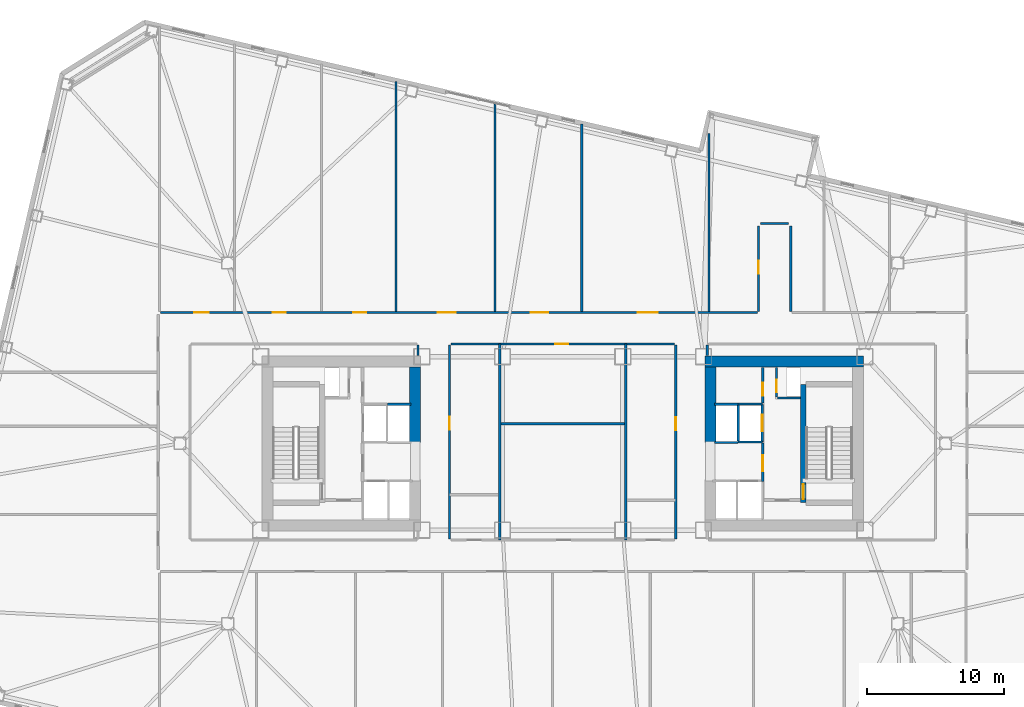
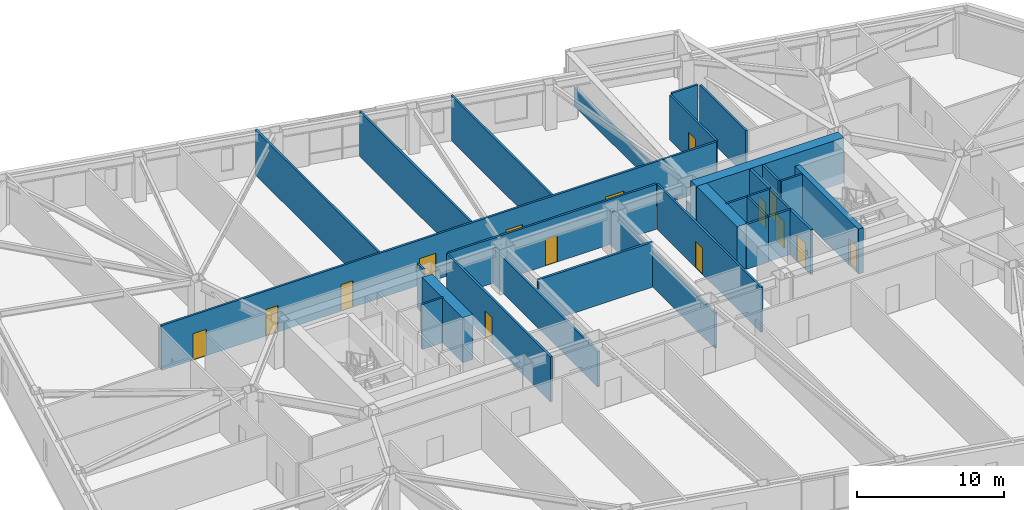
# One storey, part 13 of 20: 31 walls, 15 doors, 15 openings.
"""IFC4 building model written with IfcOpenShell, lengths in metres."""

from ifc_helpers import new_model, si_unit, direction, frame, frame_2d, origin, place, context, subcontext, project, spatial, rectangle, extrude, material, layer, layer_set, type_object, element, fill, save


model = new_model("IFC4")

# Units and contexts
model_context = context("Model", 3, precision=1e-05, world=origin(), true_north=direction((0.0, 1.0)))
body_context = subcontext(model_context, "Body", "Model", "MODEL_VIEW")
ifc_project = project(units=[si_unit("LENGTHUNIT", "METRE"), si_unit("AREAUNIT", "SQUARE_METRE"), si_unit("VOLUMEUNIT", "CUBIC_METRE"), si_unit("PLANEANGLEUNIT", "RADIAN"), si_unit("MASSUNIT", "GRAM", prefix="KILO")], contexts=[model_context])

# Site, building, storey
site_placement = place(None, origin())
site = spatial("IfcSite", under=ifc_project, at=site_placement, CompositionType="ELEMENT")
building_placement = place(site_placement, origin())
building = spatial("IfcBuilding", under=site, at=building_placement, Name="Tavrogorsk Clinical Tower", CompositionType="ELEMENT")
storey_placement = place(building_placement, frame((0.0, 0.0, 67.39990234375)))
storey = spatial("IfcBuildingStorey", under=building, at=storey_placement, Name="L14", CompositionType="ELEMENT", Elevation=67.39990234375)

# Wall, opening, door
ifc_material_1 = material(Name="Concrete B60", Category="concrete")
ifc_layer_1 = layer(ifc_material_1, 0.199951171875)
ifc_layer_set_1 = layer_set([ifc_layer_1], Name="Concrete B60")
wall_type_1 = type_object("IfcWallType", Name="CoreFireWall_200", PredefinedType="SOLIDWALL", material=ifc_layer_set_1)
wall_1_placement = place(storey_placement, frame((14.639892578125, 2.9599609375, 0.0), z_axis=(0.0, 0.0, 1.0), x_axis=(0.0, 1.0, 0.0)))
wall_1 = element("IfcWall", 1, at=wall_1_placement, inside=storey, type_object=wall_type_1, Name="L14 Core East North Core Room East Wall", PredefinedType="SOLIDWALL", context=body_context, shape_type="SweptSolid", body=[
    extrude(rectangle(XDim=2.60009765625, YDim=0.199951171875, at=frame_2d((1.300048828125, 0.0))), origin(), (0.0, 0.0, 1.0), 3.739990234375),
])
opening_1_placement = place(wall_1_placement, frame((0.52001953125, 0.0, 0.0)))
opening_1 = element("IfcOpeningElement", 2, at=opening_1_placement, cuts=wall_1, Name="Opening ID-02", PredefinedType="OPENING", context=body_context, shape_type="SweptSolid", body=[
    extrude(rectangle(XDim=0.949951171875, YDim=2.199951171875, at=frame_2d((0.47509765625, 1.10009765625))), frame((0.0, 0.10986328125, 0.0), z_axis=(0.0, -1.0, 0.0), x_axis=(1.0, 0.0, 0.0)), (0.0, 0.0, 1.0), 0.219970703125),
])
ifc_material_2 = material(Name="Laminated timber leaf on aluminium frame", Category="wood")
door_type_1 = type_object("IfcDoorType", Name="InteriorDoor_ID02_950", OperationType="NOTDEFINED", PredefinedType="DOOR", material=ifc_material_2)
door_1_placement = place(opening_1_placement, origin())
door_1 = element("IfcDoor", 3, at=door_1_placement, inside=storey, type_object=door_type_1, Name="L14 Core East Core Telemetry Room Door", OperationType="SINGLE_SWING_LEFT", OverallHeight=2.199951171875, OverallWidth=0.949951171875, PredefinedType="DOOR", context=body_context, shape_type="SweptSolid", body=[
    extrude(rectangle(XDim=0.949951171875, YDim=2.199951171875, at=frame_2d((0.47509765625, 1.10009765625))), frame((0.0, 0.02490234375, 0.0), z_axis=(0.0, -1.0, 0.0), x_axis=(1.0, 0.0, 0.0)), (0.0, 0.0, 1.0), 0.050048828125),
])
fill(opening_1, door_1)

wall_2_placement = place(storey_placement, frame((14.639892578125, -2.780029296875, 0.0), z_axis=(0.0, 0.0, 1.0), x_axis=(0.0, 1.0, 0.0)))
wall_2 = element("IfcWall", 4, at=wall_2_placement, inside=storey, type_object=wall_type_1, Name="L14 Core East Firefighting Lobby Fire Wall", PredefinedType="SOLIDWALL", context=body_context, shape_type="SweptSolid", body=[
    extrude(rectangle(XDim=2.820068359375, YDim=0.199951171875, at=frame_2d((1.41015625, 0.0))), origin(), (0.0, 0.0, 1.0), 3.739990234375),
])
opening_2_placement = place(wall_2_placement, frame((0.72998046875, 0.0, 0.0)))
opening_2 = element("IfcOpeningElement", 5, at=opening_2_placement, cuts=wall_2, Name="Opening FD-01", PredefinedType="OPENING", context=body_context, shape_type="SweptSolid", body=[
    extrude(rectangle(XDim=1.199951171875, YDim=2.199951171875, at=frame_2d((0.60009765625, 1.10009765625))), frame((0.0, 0.10986328125, 0.0), z_axis=(0.0, -1.0, 0.0), x_axis=(1.0, 0.0, 0.0)), (0.0, 0.0, 1.0), 0.219970703125),
])
ifc_material_3 = material(Name="Galvanised steel fire-rated door assembly", Category="steel")
door_type_2 = type_object("IfcDoorType", Name="FireDoor_FD01_1200", OperationType="NOTDEFINED", PredefinedType="DOOR", material=ifc_material_3)
door_2_placement = place(opening_2_placement, origin())
door_2 = element("IfcDoor", 6, at=door_2_placement, inside=storey, type_object=door_type_2, Name="L14 Core East Firefighting Lobby Entry Door", OperationType="SINGLE_SWING_RIGHT", OverallHeight=2.199951171875, OverallWidth=1.199951171875, PredefinedType="DOOR", context=body_context, shape_type="SweptSolid", body=[
    extrude(rectangle(XDim=1.199951171875, YDim=2.199951171875, at=frame_2d((0.60009765625, 1.10009765625))), frame((0.0, 0.02490234375, 0.0), z_axis=(0.0, -1.0, 0.0), x_axis=(1.0, 0.0, 0.0)), (0.0, 0.0, 1.0), 0.050048828125),
])
fill(opening_2, door_2)

# Wall, openings, doors
ifc_material_4 = material(Name="Lightweight concrete blockwork B15", Category="masonry")
ifc_layer_2 = layer(ifc_material_4, 0.159912109375)
ifc_layer_set_2 = layer_set([ifc_layer_2], Name="Lightweight concrete blockwork B15")
wall_type_2 = type_object("IfcWallType", Name="PartitionWall_160", PredefinedType="PARTITIONING", material=ifc_layer_set_2)
wall_3_placement = place(storey_placement, frame((-29.4150390625, 9.580078125, 0.0), z_axis=(0.0, 0.0, 1.0), x_axis=(1.0, 0.0, 0.0)))
wall_3 = element("IfcWall", 7, at=wall_3_placement, inside=storey, type_object=wall_type_2, Name="L14 Corridor Partition 02", PredefinedType="PARTITIONING", context=body_context, shape_type="SweptSolid", body=[
    extrude(rectangle(XDim=43.650146484375, YDim=0.159912109375, at=frame_2d((21.8251953125, 0.0))), origin(), (0.0, 0.0, 1.0), 3.739990234375),
])
opening_3_placement = place(wall_3_placement, frame((2.468994140625, 0.0, 0.0)))
opening_3 = element("IfcOpeningElement", 8, at=opening_3_placement, cuts=wall_3, Name="Opening ID-04", PredefinedType="OPENING", context=body_context, shape_type="SweptSolid", body=[
    extrude(rectangle(XDim=1.050048828125, YDim=2.199951171875, at=frame_2d((0.52490234375, 1.10009765625))), frame((0.0, 0.08984375, 0.0), z_axis=(0.0, -1.0, 0.0), x_axis=(1.0, 0.0, 0.0)), (0.0, 0.0, 1.0), 0.179931640625),
])
opening_4_placement = place(wall_3_placement, frame((8.199951171875, 0.0, 0.0)))
opening_4 = element("IfcOpeningElement", 9, at=opening_4_placement, cuts=wall_3, Name="Opening ID-02", PredefinedType="OPENING", context=body_context, shape_type="SweptSolid", body=[
    extrude(rectangle(XDim=0.949951171875, YDim=2.199951171875, at=frame_2d((0.47509765625, 1.10009765625))), frame((0.0, 0.08984375, 0.0), z_axis=(0.0, -1.0, 0.0), x_axis=(1.0, 0.0, 0.0)), (0.0, 0.0, 1.0), 0.179931640625),
])
opening_5_placement = place(wall_3_placement, frame((14.10009765625, 0.0, 0.0)))
opening_5 = element("IfcOpeningElement", 10, at=opening_5_placement, cuts=wall_3, Name="Opening ID-02", PredefinedType="OPENING", context=body_context, shape_type="SweptSolid", body=[
    extrude(rectangle(XDim=0.949951171875, YDim=2.199951171875, at=frame_2d((0.47509765625, 1.10009765625))), frame((0.0, 0.08984375, 0.0), z_axis=(0.0, -1.0, 0.0), x_axis=(1.0, 0.0, 0.0)), (0.0, 0.0, 1.0), 0.179931640625),
])
opening_6_placement = place(wall_3_placement, frame((20.27490234375, 0.0, 0.0)))
opening_6 = element("IfcOpeningElement", 11, at=opening_6_placement, cuts=wall_3, Name="Opening ID-01", PredefinedType="OPENING", context=body_context, shape_type="SweptSolid", body=[
    extrude(rectangle(XDim=1.300048828125, YDim=2.199951171875, at=frame_2d((0.64990234375, 1.10009765625))), frame((0.0, 0.08984375, 0.0), z_axis=(0.0, -1.0, 0.0), x_axis=(1.0, 0.0, 0.0)), (0.0, 0.0, 1.0), 0.179931640625),
])
opening_7_placement = place(wall_3_placement, frame((27.074951171875, 0.0, 0.0)))
opening_7 = element("IfcOpeningElement", 12, at=opening_7_placement, cuts=wall_3, Name="Opening ID-01", PredefinedType="OPENING", context=body_context, shape_type="SweptSolid", body=[
    extrude(rectangle(XDim=1.300048828125, YDim=2.199951171875, at=frame_2d((0.64990234375, 1.10009765625))), frame((0.0, 0.08984375, 0.0), z_axis=(0.0, -1.0, 0.0), x_axis=(1.0, 0.0, 0.0)), (0.0, 0.0, 1.0), 0.179931640625),
])
opening_8_placement = place(wall_3_placement, frame((34.906494140625, 0.0, 0.0)))
opening_8 = element("IfcOpeningElement", 13, at=opening_8_placement, cuts=wall_3, Name="Opening ID-05", PredefinedType="OPENING", context=body_context, shape_type="SweptSolid", body=[
    extrude(rectangle(XDim=1.449951171875, YDim=2.199951171875, at=frame_2d((0.72509765625, 1.10009765625))), frame((0.0, 0.08984375, 0.0), z_axis=(0.0, -1.0, 0.0), x_axis=(1.0, 0.0, 0.0)), (0.0, 0.0, 1.0), 0.179931640625),
])
ifc_material_5 = material(Name="Antibacterial HPL consultation door on aluminium frame", Category="aluminium")
door_type_3 = type_object("IfcDoorType", Name="ConsultDoor_ID04_1050", OperationType="NOTDEFINED", PredefinedType="DOOR", material=ifc_material_5)
door_3_placement = place(opening_3_placement, origin())
door_3 = element("IfcDoor", 14, at=door_3_placement, inside=storey, type_object=door_type_3, Name="L14 North Physician Consultation Office 01 Door", OperationType="SINGLE_SWING_LEFT", OverallHeight=2.199951171875, OverallWidth=1.050048828125, PredefinedType="DOOR", context=body_context, shape_type="SweptSolid", body=[
    extrude(rectangle(XDim=1.050048828125, YDim=2.199951171875, at=frame_2d((0.52490234375, 1.10009765625))), frame((0.0, 0.02490234375, 0.0), z_axis=(0.0, -1.0, 0.0), x_axis=(1.0, 0.0, 0.0)), (0.0, 0.0, 1.0), 0.050048828125),
])
fill(opening_3, door_3)
ifc_material_6 = material(Name="Antibacterial HPL bariatric ward double door")
door_type_4 = type_object("IfcDoorType", Name="DoubleWardDoor_ID05_1450", OperationType="DOUBLE_SWING_LEFT", PredefinedType="DOOR", material=ifc_material_6)
door_4_placement = place(opening_8_placement, origin())
door_4 = element("IfcDoor", 15, at=door_4_placement, inside=storey, type_object=door_type_4, Name="L14 North Sub-Acute Recovery Ward 04A Door", OperationType="DOUBLE_SWING_LEFT", OverallHeight=2.199951171875, OverallWidth=1.449951171875, PredefinedType="DOOR", context=body_context, shape_type="SweptSolid", body=[
    extrude(rectangle(XDim=1.449951171875, YDim=2.199951171875, at=frame_2d((0.72509765625, 1.10009765625))), frame((0.0, 0.02490234375, 0.0), z_axis=(0.0, -1.0, 0.0), x_axis=(1.0, 0.0, 0.0)), (0.0, 0.0, 1.0), 0.050048828125),
])
fill(opening_8, door_4)
door_5_placement = place(opening_4_placement, origin())
door_5 = element("IfcDoor", 16, at=door_5_placement, inside=storey, type_object=door_type_1, Name="L14 North Patient & Family Quiet Lounge 02A Door", OperationType="SINGLE_SWING_RIGHT", OverallHeight=2.199951171875, OverallWidth=0.949951171875, PredefinedType="DOOR", context=body_context, shape_type="SweptSolid", body=[
    extrude(rectangle(XDim=0.949951171875, YDim=2.199951171875, at=frame_2d((0.47509765625, 1.10009765625))), frame((0.0, 0.02490234375, 0.0), z_axis=(0.0, -1.0, 0.0), x_axis=(1.0, 0.0, 0.0)), (0.0, 0.0, 1.0), 0.050048828125),
])
fill(opening_4, door_5)
door_6_placement = place(opening_5_placement, origin())
door_6 = element("IfcDoor", 17, at=door_6_placement, inside=storey, type_object=door_type_1, Name="L14 North Physiotherapy Rehab Studio 02B Door", OperationType="SINGLE_SWING_LEFT", OverallHeight=2.199951171875, OverallWidth=0.949951171875, PredefinedType="DOOR", context=body_context, shape_type="SweptSolid", body=[
    extrude(rectangle(XDim=0.949951171875, YDim=2.199951171875, at=frame_2d((0.47509765625, 1.10009765625))), frame((0.0, 0.02490234375, 0.0), z_axis=(0.0, -1.0, 0.0), x_axis=(1.0, 0.0, 0.0)), (0.0, 0.0, 1.0), 0.050048828125),
])
fill(opening_5, door_6)
ifc_material_7 = material(Name="Antibacterial HPL medical leaf on aluminium frame", Category="aluminium")
door_type_5 = type_object("IfcDoorType", Name="WardBedDoor_ID01_1300", OperationType="NOTDEFINED", PredefinedType="DOOR", material=ifc_material_7)
door_7_placement = place(opening_6_placement, origin())
door_7 = element("IfcDoor", 18, at=door_7_placement, inside=storey, type_object=door_type_5, Name="L14 North Acute Isolation Suite 03A Door", OperationType="SINGLE_SWING_RIGHT", OverallHeight=2.199951171875, OverallWidth=1.300048828125, PredefinedType="DOOR", context=body_context, shape_type="SweptSolid", body=[
    extrude(rectangle(XDim=1.300048828125, YDim=2.199951171875, at=frame_2d((0.64990234375, 1.10009765625))), frame((0.0, 0.02490234375, 0.0), z_axis=(0.0, -1.0, 0.0), x_axis=(1.0, 0.0, 0.0)), (0.0, 0.0, 1.0), 0.050048828125),
])
fill(opening_6, door_7)
door_8_placement = place(opening_7_placement, origin())
door_8 = element("IfcDoor", 19, at=door_8_placement, inside=storey, type_object=door_type_5, Name="L14 North Step-Down Telemetry Ward 03B Door", OperationType="SINGLE_SWING_LEFT", OverallHeight=2.199951171875, OverallWidth=1.300048828125, PredefinedType="DOOR", context=body_context, shape_type="SweptSolid", body=[
    extrude(rectangle(XDim=1.300048828125, YDim=2.199951171875, at=frame_2d((0.64990234375, 1.10009765625))), frame((0.0, 0.02490234375, 0.0), z_axis=(0.0, -1.0, 0.0), x_axis=(1.0, 0.0, 0.0)), (0.0, 0.0, 1.0), 0.050048828125),
])
fill(opening_7, door_8)

# Wall, opening, door
wall_4_placement = place(storey_placement, frame((14.320068359375, 9.6650390625, 0.0), z_axis=(0.0, 0.0, 1.0), x_axis=(0.0, 1.0, 0.0)))
wall_4 = element("IfcWall", 20, at=wall_4_placement, inside=storey, type_object=wall_type_2, Name="L14 Corridor Partition 03", PredefinedType="PARTITIONING", context=body_context, shape_type="SweptSolid", body=[
    extrude(rectangle(XDim=6.25, YDim=0.159912109375, at=frame_2d((3.125, 0.0))), origin(), (0.0, 0.0, 1.0), 3.739990234375),
])
opening_9_placement = place(wall_4_placement, frame((2.735107421875, 0.0, 0.0)))
opening_9 = element("IfcOpeningElement", 21, at=opening_9_placement, cuts=wall_4, Name="Opening ID-02", PredefinedType="OPENING", context=body_context, shape_type="SweptSolid", body=[
    extrude(rectangle(XDim=0.949951171875, YDim=2.199951171875, at=frame_2d((0.47509765625, 1.10009765625))), frame((0.0, 0.08984375, 0.0), z_axis=(0.0, -1.0, 0.0), x_axis=(1.0, 0.0, 0.0)), (0.0, 0.0, 1.0), 0.179931640625),
])
door_9_placement = place(opening_9_placement, origin())
door_9 = element("IfcDoor", 22, at=door_9_placement, inside=storey, type_object=door_type_1, Name="L14 North Physician Consultation Office 04B Door", OperationType="SINGLE_SWING_LEFT", OverallHeight=2.199951171875, OverallWidth=0.949951171875, PredefinedType="DOOR", context=body_context, shape_type="SweptSolid", body=[
    extrude(rectangle(XDim=0.949951171875, YDim=2.199951171875, at=frame_2d((0.47509765625, 1.10009765625))), frame((0.0, 0.02490234375, 0.0), z_axis=(0.0, -1.0, 0.0), x_axis=(1.0, 0.0, 0.0)), (0.0, 0.0, 1.0), 0.050048828125),
])
fill(opening_9, door_9)

# Walls
wall_5_placement = place(storey_placement, frame((14.485107421875, 16.080078125, 0.0), z_axis=(0.0, 0.0, 1.0), x_axis=(1.0, 0.0, 0.0)))
element("IfcWall", 23, at=wall_5_placement, inside=storey, type_object=wall_type_2, Name="L14 Corridor Partition 04", PredefinedType="PARTITIONING", context=body_context, shape_type="SweptSolid", body=[
    extrude(rectangle(XDim=2.02978515625, YDim=0.159912109375, at=frame_2d((1.014892578125, 0.0))), origin(), (0.0, 0.0, 1.0), 3.739990234375),
])
wall_6_placement = place(storey_placement, frame((16.679931640625, 15.9150390625, 0.0), z_axis=(0.0, 0.0, 1.0), x_axis=(0.0, -1.0, 0.0)))
element("IfcWall", 24, at=wall_6_placement, inside=storey, type_object=wall_type_2, Name="L14 Corridor Partition 05", PredefinedType="PARTITIONING", context=body_context, shape_type="SweptSolid", body=[
    extrude(rectangle(XDim=6.25, YDim=0.159912109375, at=frame_2d((3.125, 0.0))), origin(), (0.0, 0.0, 1.0), 3.739990234375),
])
wall_7_placement = place(storey_placement, frame((10.580078125, 7.18505859375, 0.0), z_axis=(0.0, 0.0, 1.0), x_axis=(0.0, -1.0, 0.0)))
element("IfcWall", 25, at=wall_7_placement, inside=storey, type_object=wall_type_2, Name="L14 Corridor Partition 10", PredefinedType="PARTITIONING", context=body_context, shape_type="SweptSolid", body=[
    extrude(rectangle(XDim=0.76513671875, YDim=0.159912109375, at=frame_2d((0.382568359375, 0.0))), origin(), (0.0, 0.0, 1.0), 1.53515625),
])

# Wall, opening, door
wall_8_placement = place(storey_placement, frame((8.27001953125, -6.985107421875, 0.0), z_axis=(0.0, 0.0, 1.0), x_axis=(0.0, 1.0, 0.0)))
wall_8 = element("IfcWall", 26, at=wall_8_placement, inside=storey, type_object=wall_type_2, Name="L14 Corridor Partition 14", PredefinedType="PARTITIONING", context=body_context, shape_type="SweptSolid", body=[
    extrude(rectangle(XDim=14.170166015625, YDim=0.159912109375, at=frame_2d((7.0849609375, 0.0))), origin(), (0.0, 0.0, 1.0), 3.739990234375),
])
opening_10_placement = place(wall_8_placement, frame((7.9609375, 0.0, 0.0)))
opening_10 = element("IfcOpeningElement", 27, at=opening_10_placement, cuts=wall_8, Name="Opening ID-02", PredefinedType="OPENING", context=body_context, shape_type="SweptSolid", body=[
    extrude(rectangle(XDim=0.949951171875, YDim=2.199951171875, at=frame_2d((0.47509765625, 1.10009765625))), frame((0.0, 0.08984375, 0.0), z_axis=(0.0, -1.0, 0.0), x_axis=(1.0, 0.0, 0.0)), (0.0, 0.0, 1.0), 0.179931640625),
])
door_10_placement = place(opening_10_placement, origin())
door_10 = element("IfcDoor", 28, at=door_10_placement, inside=storey, type_object=door_type_1, Name="L14 Attending Physician Office Door", OperationType="SINGLE_SWING_RIGHT", OverallHeight=2.199951171875, OverallWidth=0.949951171875, PredefinedType="DOOR", context=body_context, shape_type="SweptSolid", body=[
    extrude(rectangle(XDim=0.949951171875, YDim=2.199951171875, at=frame_2d((0.47509765625, 1.10009765625))), frame((0.0, 0.02490234375, 0.0), z_axis=(0.0, -1.0, 0.0), x_axis=(1.0, 0.0, 0.0)), (0.0, 0.0, 1.0), 0.050048828125),
])
fill(opening_10, door_10)

wall_9_placement = place(storey_placement, frame((8.18505859375, 7.27001953125, 0.0), z_axis=(0.0, 0.0, 1.0), x_axis=(-1.0, 0.0, 0.0)))
wall_9 = element("IfcWall", 29, at=wall_9_placement, inside=storey, type_object=wall_type_2, Name="L14 Corridor Partition 15", PredefinedType="PARTITIONING", context=body_context, shape_type="SweptSolid", body=[
    extrude(rectangle(XDim=16.3701171875, YDim=0.159912109375, at=frame_2d((8.18505859375, 0.0))), origin(), (0.0, 0.0, 1.0), 3.739990234375),
])
opening_11_placement = place(wall_9_placement, frame((7.794921875, 0.0, 0.0)))
opening_11 = element("IfcOpeningElement", 30, at=opening_11_placement, cuts=wall_9, Name="Opening ID-02", PredefinedType="OPENING", context=body_context, shape_type="SweptSolid", body=[
    extrude(rectangle(XDim=0.949951171875, YDim=2.199951171875, at=frame_2d((0.47509765625, 1.10009765625))), frame((0.0, 0.08984375, 0.0), z_axis=(0.0, -1.0, 0.0), x_axis=(1.0, 0.0, 0.0)), (0.0, 0.0, 1.0), 0.179931640625),
])
door_11_placement = place(opening_11_placement, origin())
door_11 = element("IfcDoor", 31, at=door_11_placement, inside=storey, type_object=door_type_1, Name="L14 Nurses' Station & Triage Hub Door", OperationType="SINGLE_SWING_RIGHT", OverallHeight=2.199951171875, OverallWidth=0.949951171875, PredefinedType="DOOR", context=body_context, shape_type="SweptSolid", body=[
    extrude(rectangle(XDim=0.949951171875, YDim=2.199951171875, at=frame_2d((0.47509765625, 1.10009765625))), frame((0.0, 0.02490234375, 0.0), z_axis=(0.0, -1.0, 0.0), x_axis=(1.0, 0.0, 0.0)), (0.0, 0.0, 1.0), 0.050048828125),
])
fill(opening_11, door_11)

wall_10_placement = place(storey_placement, frame((-8.27001953125, 7.18505859375, 0.0), z_axis=(0.0, 0.0, 1.0), x_axis=(0.0, -1.0, 0.0)))
wall_10 = element("IfcWall", 32, at=wall_10_placement, inside=storey, type_object=wall_type_2, Name="L14 Corridor Partition 16", PredefinedType="PARTITIONING", context=body_context, shape_type="SweptSolid", body=[
    extrude(rectangle(XDim=14.170166015625, YDim=0.159912109375, at=frame_2d((7.0849609375, 0.0))), origin(), (0.0, 0.0, 1.0), 3.739990234375),
])
opening_12_placement = place(wall_10_placement, frame((5.22900390625, 0.0, 0.0)))
opening_12 = element("IfcOpeningElement", 33, at=opening_12_placement, cuts=wall_10, Name="Opening ID-02", PredefinedType="OPENING", context=body_context, shape_type="SweptSolid", body=[
    extrude(rectangle(XDim=0.949951171875, YDim=2.199951171875, at=frame_2d((0.47509765625, 1.10009765625))), frame((0.0, 0.08984375, 0.0), z_axis=(0.0, -1.0, 0.0), x_axis=(1.0, 0.0, 0.0)), (0.0, 0.0, 1.0), 0.179931640625),
])
door_12_placement = place(opening_12_placement, origin())
door_12 = element("IfcDoor", 34, at=door_12_placement, inside=storey, type_object=door_type_1, Name="L14 Ward Nourishment Pantry Door", OperationType="SINGLE_SWING_RIGHT", OverallHeight=2.199951171875, OverallWidth=0.949951171875, PredefinedType="DOOR", context=body_context, shape_type="SweptSolid", body=[
    extrude(rectangle(XDim=0.949951171875, YDim=2.199951171875, at=frame_2d((0.47509765625, 1.10009765625))), frame((0.0, 0.02490234375, 0.0), z_axis=(0.0, -1.0, 0.0), x_axis=(1.0, 0.0, 0.0)), (0.0, 0.0, 1.0), 0.050048828125),
])
fill(opening_12, door_12)

# Walls
wall_11_placement = place(storey_placement, frame((-10.580078125, 6.419921875, 0.0), z_axis=(0.0, 0.0, 1.0), x_axis=(0.0, 1.0, 0.0)))
element("IfcWall", 35, at=wall_11_placement, inside=storey, type_object=wall_type_2, Name="L14 Corridor Partition 19", PredefinedType="PARTITIONING", context=body_context, shape_type="SweptSolid", body=[
    extrude(rectangle(XDim=0.76513671875, YDim=0.159912109375, at=frame_2d((0.382568359375, 0.0))), origin(), (0.0, 0.0, 1.0), 3.739990234375),
])
wall_12_placement = place(storey_placement, frame((-12.199951171875, 9.6650390625, 0.0), z_axis=(0.0, 0.0, 1.0), x_axis=(0.0, 1.0, 0.0)))
element("IfcWall", 36, at=wall_12_placement, inside=storey, type_object=wall_type_2, Name="L14 North Room Partition 2", PredefinedType="PARTITIONING", context=body_context, shape_type="SweptSolid", body=[
    extrude(rectangle(XDim=16.824462890625, YDim=0.159912109375, at=frame_2d((8.412109375, 0.0))), origin(), (0.0, 0.0, 1.0), 3.739990234375),
])
wall_13_placement = place(storey_placement, frame((1.39990234375, 9.6650390625, 0.0), z_axis=(0.0, 0.0, 1.0), x_axis=(0.0, 1.0, 0.0)))
element("IfcWall", 37, at=wall_13_placement, inside=storey, type_object=wall_type_2, Name="L14 North Room Partition 3", PredefinedType="PARTITIONING", context=body_context, shape_type="SweptSolid", body=[
    extrude(rectangle(XDim=13.684814453125, YDim=0.159912109375, at=frame_2d((6.84228515625, 0.0))), origin(), (0.0, 0.0, 1.0), 3.739990234375),
])
wall_14_placement = place(storey_placement, frame((-4.949951171875, 9.6650390625, 0.0), z_axis=(0.0, 0.0, 1.0), x_axis=(0.0, 1.0, 0.0)))
element("IfcWall", 38, at=wall_14_placement, inside=storey, type_object=wall_type_2, Name="L14 North Sub-Partition 3", PredefinedType="PARTITIONING", context=body_context, shape_type="SweptSolid", body=[
    extrude(rectangle(XDim=15.15087890625, YDim=0.159912109375, at=frame_2d((7.575439453125, 0.0))), origin(), (0.0, 0.0, 1.0), 3.739990234375),
])
wall_15_placement = place(storey_placement, frame((10.712890625, 9.6650390625, 0.0), z_axis=(0.0, 0.0, 1.0), x_axis=(0.0, 1.0, 0.0)))
element("IfcWall", 39, at=wall_15_placement, inside=storey, type_object=wall_type_2, Name="L14 North Sub-Partition 4", PredefinedType="PARTITIONING", context=body_context, shape_type="SweptSolid", body=[
    extrude(rectangle(XDim=13.015380859375, YDim=0.159912109375, at=frame_2d((6.5078125, 0.0))), origin(), (0.0, 0.0, 1.0), 1.53515625),
])
ifc_material_8 = material(Name="Lightweight concrete blockwork B20", Category="masonry")
ifc_layer_3 = layer(ifc_material_8, 0.179931640625)
ifc_layer_set_3 = layer_set([ifc_layer_3], Name="Lightweight concrete blockwork B20")
wall_type_3 = type_object("IfcWallType", Name="PartitionWall_180", PredefinedType="PARTITIONING", material=ifc_layer_set_3)
for number, where, z_axis, x_axis, name in (
    (40, (-4.60009765625, -7.06494140625, 0.0), (0.0, 0.0, 1.0), (0.0, 1.0, 0.0), "L14 Central Spine Partition 1"),
    (41, (4.60009765625, -7.06494140625, 0.0), (0.0, 0.0, 1.0), (0.0, 1.0, 0.0), "L14 Central Spine Partition 2"),
):
    element("IfcWall", number, at=place(storey_placement, frame(where, z_axis=z_axis, x_axis=x_axis)), inside=storey, type_object=wall_type_3, Name=name, PredefinedType="PARTITIONING", context=body_context, shape_type="SweptSolid", body=[
        extrude(rectangle(XDim=14.329833984375, YDim=0.179931640625, at=frame_2d((7.1650390625, 0.0))), origin(), (0.0, 0.0, 1.0), 2.93505859375),
    ])
wall_16_placement = place(storey_placement, frame((-4.5048828125, 1.449951171875, 0.0), z_axis=(0.0, 0.0, 1.0), x_axis=(1.0, 0.0, 0.0)))
element("IfcWall", 42, at=wall_16_placement, inside=storey, type_object=wall_type_3, Name="L14 Central Spine Partition 3", PredefinedType="PARTITIONING", context=body_context, shape_type="SweptSolid", body=[
    extrude(rectangle(XDim=9.009765625, YDim=0.179931640625, at=frame_2d((4.5048828125, 0.0))), origin(), (0.0, 0.0, 1.0), 3.739990234375),
])
ifc_material_9 = material(Name="Lightweight concrete blockwork B25", Category="masonry")
ifc_layer_4 = layer(ifc_material_9, 0.159912109375)
ifc_layer_set_4 = layer_set([ifc_layer_4], Name="Lightweight concrete blockwork B25")
wall_type_4 = type_object("IfcWallType", Name="ShaftWall_160", PredefinedType="PARTITIONING", material=ifc_layer_set_4)
wall_17_placement = place(storey_placement, frame((-12.820068359375, 2.860107421875, 0.0), z_axis=(0.0, 0.0, 1.0), x_axis=(1.0, 0.0, 0.0)))
element("IfcWall", 43, at=wall_17_placement, inside=storey, type_object=wall_type_4, Name="L14 LP-H1 High-Zone Lift Rear Wall", PredefinedType="PARTITIONING", context=body_context, shape_type="SweptSolid", body=[
    extrude(rectangle(XDim=1.719970703125, YDim=0.159912109375, at=frame_2d((0.85986328125, 0.0))), origin(), (0.0, 0.0, 1.0), 3.739990234375),
])

# Wall, opening, door
wall_18_placement = place(storey_placement, frame((14.60009765625, 0.1201171875, 0.0), z_axis=(0.0, 0.0, 1.0), x_axis=(0.0, 1.0, 0.0)))
wall_18 = element("IfcWall", 44, at=wall_18_placement, inside=storey, type_object=wall_type_4, Name="L14 FFL-E Firefighting Lift Front Wall", PredefinedType="PARTITIONING", context=body_context, shape_type="SweptSolid", body=[
    extrude(rectangle(XDim=2.739990234375, YDim=0.159912109375, at=frame_2d((1.3701171875, 0.0))), origin(), (0.0, 0.0, 1.0), 3.739990234375),
])
opening_13_placement = place(wall_18_placement, frame((0.77001953125, 0.0, 0.0)))
opening_13 = element("IfcOpeningElement", 45, at=opening_13_placement, cuts=wall_18, Name="Opening LD", PredefinedType="OPENING", context=body_context, shape_type="SweptSolid", body=[
    extrude(rectangle(XDim=1.199951171875, YDim=2.199951171875, at=frame_2d((0.60009765625, 1.10009765625))), frame((0.0, 0.08984375, 0.0), z_axis=(0.0, -1.0, 0.0), x_axis=(1.0, 0.0, 0.0)), (0.0, 0.0, 1.0), 0.179931640625),
])
ifc_material_10 = material(Name="Brushed stainless steel AISI 304 sliding doors", Category="steel")
door_type_6 = type_object("IfcDoorType", Name="LiftLandingDoor_LD_1200", OperationType="SLIDING_TO_LEFT", PredefinedType="DOOR", material=ifc_material_10)
door_13_placement = place(opening_13_placement, origin())
door_13 = element("IfcDoor", 46, at=door_13_placement, inside=storey, type_object=door_type_6, Name="L14 FFL-E Sliding Lift Landing Door", OperationType="SLIDING_TO_LEFT", OverallHeight=2.199951171875, OverallWidth=1.199951171875, PredefinedType="DOOR", context=body_context, shape_type="SweptSolid", body=[
    extrude(rectangle(XDim=1.199951171875, YDim=2.199951171875, at=frame_2d((0.60009765625, 1.10009765625))), frame((0.0, 0.02490234375, 0.0), z_axis=(0.0, -1.0, 0.0), x_axis=(1.0, 0.0, 0.0)), (0.0, 0.0, 1.0), 0.050048828125),
])
fill(opening_13, door_13)

# Walls
for number, where, z_axis, x_axis, name in (
    (47, (12.840087890625, 0.10009765625, 0.0), (0.0, 0.0, 1.0), (1.0, 0.0, 0.0), "L14 FFL-E Shaft South Wall"),
    (48, (12.840087890625, 2.8798828125, 0.0), (0.0, 0.0, 1.0), (1.0, 0.0, 0.0), "L14 FFL-E Shaft North Wall"),
):
    element("IfcWall", number, at=place(storey_placement, frame(where, z_axis=z_axis, x_axis=x_axis)), inside=storey, type_object=wall_type_4, Name=name, PredefinedType="PARTITIONING", context=body_context, shape_type="SweptSolid", body=[
        extrude(rectangle(XDim=1.760009765625, YDim=0.159912109375, at=frame_2d((0.8798828125, 0.0))), origin(), (0.0, 0.0, 1.0), 3.739990234375),
    ])
wall_19_placement = place(storey_placement, frame((12.840087890625, 0.179931640625, 0.0), z_axis=(0.0, 0.0, 1.0), x_axis=(0.0, 1.0, 0.0)))
element("IfcWall", 49, at=wall_19_placement, inside=storey, type_object=wall_type_4, Name="L14 FFL-E Shaft Back Wall", PredefinedType="PARTITIONING", context=body_context, shape_type="SweptSolid", body=[
    extrude(rectangle(XDim=2.6201171875, YDim=0.159912109375, at=frame_2d((1.31005859375, 0.0))), origin(), (0.0, 0.0, 1.0), 3.739990234375),
])
for number, where, z_axis, x_axis, name in (
    (50, (11.10009765625, 0.06005859375, 0.0), (0.0, 0.0, 1.0), (1.0, 0.0, 0.0), "L14 LP-H2 High-Zone Lift Portal Wall"),
    (51, (11.10009765625, 2.860107421875, 0.0), (0.0, 0.0, 1.0), (1.0, 0.0, 0.0), "L14 LP-H2 High-Zone Lift Rear Wall"),
):
    element("IfcWall", number, at=place(storey_placement, frame(where, z_axis=z_axis, x_axis=x_axis)), inside=storey, type_object=wall_type_4, Name=name, PredefinedType="PARTITIONING", context=body_context, shape_type="SweptSolid", body=[
        extrude(rectangle(XDim=1.719970703125, YDim=0.159912109375, at=frame_2d((0.85986328125, 0.0))), origin(), (0.0, 0.0, 1.0), 3.739990234375),
    ])

# Wall, opening, door
wall_20_placement = place(storey_placement, frame((15.639892578125, 3.405029296875, 0.0), z_axis=(0.0, 0.0, 1.0), x_axis=(0.0, 1.0, 0.0)))
wall_20 = element("IfcWall", 52, at=wall_20_placement, inside=storey, type_object=wall_type_4, Name="L14 Core East Riser West Wall", PredefinedType="PARTITIONING", context=body_context, shape_type="SweptSolid", body=[
    extrude(rectangle(XDim=2.155029296875, YDim=0.159912109375, at=frame_2d((1.07763671875, 0.0))), origin(), (0.0, 0.0, 1.0), 3.739990234375),
])
opening_14_placement = place(wall_20_placement, frame((0.35009765625, 0.0, 0.0)))
opening_14 = element("IfcOpeningElement", 53, at=opening_14_placement, cuts=wall_20, Name="Opening FD-02", PredefinedType="OPENING", context=body_context, shape_type="SweptSolid", body=[
    extrude(rectangle(XDim=0.89990234375, YDim=2.199951171875, at=frame_2d((0.449951171875, 1.10009765625))), frame((0.0, 0.08984375, 0.0), z_axis=(0.0, -1.0, 0.0), x_axis=(1.0, 0.0, 0.0)), (0.0, 0.0, 1.0), 0.179931640625),
])
ifc_material_11 = material(Name="Galvanised steel fire-rated door assembly", Category="steel")
door_type_7 = type_object("IfcDoorType", Name="FireDoor_FD02_900", OperationType="NOTDEFINED", PredefinedType="DOOR", material=ifc_material_11)
door_14_placement = place(opening_14_placement, origin())
door_14 = element("IfcDoor", 54, at=door_14_placement, inside=storey, type_object=door_type_7, Name="L14 Core East Electrical Riser Access Door", OperationType="SINGLE_SWING_LEFT", OverallHeight=2.199951171875, OverallWidth=0.89990234375, PredefinedType="DOOR", context=body_context, shape_type="SweptSolid", body=[
    extrude(rectangle(XDim=0.89990234375, YDim=2.199951171875, at=frame_2d((0.449951171875, 1.10009765625))), frame((0.0, 0.02490234375, 0.0), z_axis=(0.0, -1.0, 0.0), x_axis=(1.0, 0.0, 0.0)), (0.0, 0.0, 1.0), 0.050048828125),
])
fill(opening_14, door_14)

# Wall
wall_21_placement = place(storey_placement, frame((15.72509765625, 3.320068359375, 0.0), z_axis=(0.0, 0.0, 1.0), x_axis=(1.0, 0.0, 0.0)))
element("IfcWall", 55, at=wall_21_placement, inside=storey, type_object=wall_type_4, Name="L14 Core East Riser South Wall", PredefinedType="PARTITIONING", context=body_context, shape_type="SweptSolid", body=[
    extrude(rectangle(XDim=1.65478515625, YDim=0.159912109375, at=frame_2d((0.827392578125, 0.0))), origin(), (0.0, 0.0, 1.0), 3.739990234375),
])

# Wall, opening, door
ifc_material_12 = material(Name="Concrete B80", Category="concrete")
ifc_layer_5 = layer(ifc_material_12, 0.39990234375)
ifc_layer_set_5 = layer_set([ifc_layer_5], Name="Concrete B80")
wall_type_5 = type_object("IfcWallType", Name="ShearWall_400", PredefinedType="SHEAR", material=ifc_layer_set_5)
wall_22_placement = place(storey_placement, frame((17.60009765625, -4.324951171875, 0.0), z_axis=(0.0, 0.0, 1.0), x_axis=(0.0, 1.0, 0.0)))
wall_22 = element("IfcWall", 56, at=wall_22_placement, inside=storey, type_object=wall_type_5, Name="L14 Core East Stair Shaft Inner Shear Wall", PredefinedType="SHEAR", context=body_context, shape_type="SweptSolid", body=[
    extrude(rectangle(XDim=8.64990234375, YDim=0.39990234375, at=frame_2d((4.324951171875, 0.0))), origin(), (0.0, 0.0, 1.0), 3.739990234375),
])
opening_15_placement = place(wall_22_placement, frame((0.25, 0.0, 0.0)))
opening_15 = element("IfcOpeningElement", 57, at=opening_15_placement, cuts=wall_22, Name="Opening SD-01", PredefinedType="OPENING", context=body_context, shape_type="SweptSolid", body=[
    extrude(rectangle(XDim=1.10009765625, YDim=2.199951171875, at=frame_2d((0.550048828125, 1.10009765625))), frame((0.0, 0.2099609375, 0.0), z_axis=(0.0, -1.0, 0.0), x_axis=(1.0, 0.0, 0.0)), (0.0, 0.0, 1.0), 0.419921875),
])
ifc_material_13 = material(Name="Galvanised steel smoke-tight fire door assembly", Category="steel")
door_type_8 = type_object("IfcDoorType", Name="StairFireDoor_SD01_1100", OperationType="NOTDEFINED", PredefinedType="DOOR", material=ifc_material_13)
door_15_placement = place(opening_15_placement, origin())
door_15 = element("IfcDoor", 58, at=door_15_placement, inside=storey, type_object=door_type_8, Name="L14 ST-E Exit Stair Door", OperationType="SINGLE_SWING_RIGHT", OverallHeight=2.199951171875, OverallWidth=1.10009765625, PredefinedType="DOOR", context=body_context, shape_type="SweptSolid", body=[
    extrude(rectangle(XDim=1.10009765625, YDim=2.199951171875, at=frame_2d((0.550048828125, 1.10009765625))), frame((0.0, 0.02490234375, 0.0), z_axis=(0.0, -1.0, 0.0), x_axis=(1.0, 0.0, 0.0)), (0.0, 0.0, 1.0), 0.050048828125),
])
fill(opening_15, door_15)

# Walls
ifc_material_14 = material(Name="Concrete B80", Category="concrete")
ifc_layer_6 = layer(ifc_material_14, 0.800048828125)
ifc_layer_set_6 = layer_set([ifc_layer_6], Name="Concrete B80")
wall_type_6 = type_object("IfcWallType", Name="ShearWall_800", PredefinedType="SHEAR", material=ifc_layer_set_6)
wall_23_placement = place(storey_placement, frame((-10.800048828125, 0.050048828125, 0.0), z_axis=(0.0, 0.0, 1.0), x_axis=(0.0, 1.0, 0.0)))
element("IfcWall", 59, at=wall_23_placement, inside=storey, type_object=wall_type_6, Name="L14 Core West Inner North Pier", PredefinedType="SHEAR", context=body_context, shape_type="SweptSolid", body=[
    extrude(rectangle(XDim=5.550048828125, YDim=0.800048828125, at=frame_2d((2.77490234375, 0.0))), origin(), (0.0, 0.0, 1.0), 3.739990234375),
])
wall_24_placement = place(storey_placement, frame((10.39990234375, 6.0, 0.0), z_axis=(0.0, 0.0, 1.0), x_axis=(1.0, 0.0, 0.0)))
element("IfcWall", 60, at=wall_24_placement, inside=storey, type_object=wall_type_6, Name="L14 Core East North Shear Wall", PredefinedType="SHEAR", context=body_context, shape_type="SweptSolid", body=[
    extrude(rectangle(XDim=11.60009765625, YDim=0.800048828125, at=frame_2d((5.800048828125, 0.0))), origin(), (0.0, 0.0, 1.0), 3.739990234375),
])
wall_25_placement = place(storey_placement, frame((10.800048828125, 0.050048828125, 0.0), z_axis=(0.0, 0.0, 1.0), x_axis=(0.0, 1.0, 0.0)))
element("IfcWall", 61, at=wall_25_placement, inside=storey, type_object=wall_type_6, Name="L14 Core East Inner North Pier", PredefinedType="SHEAR", context=body_context, shape_type="SweptSolid", body=[
    extrude(rectangle(XDim=5.550048828125, YDim=0.800048828125, at=frame_2d((2.77490234375, 0.0))), origin(), (0.0, 0.0, 1.0), 3.739990234375),
])

save(model, "model.ifc")
